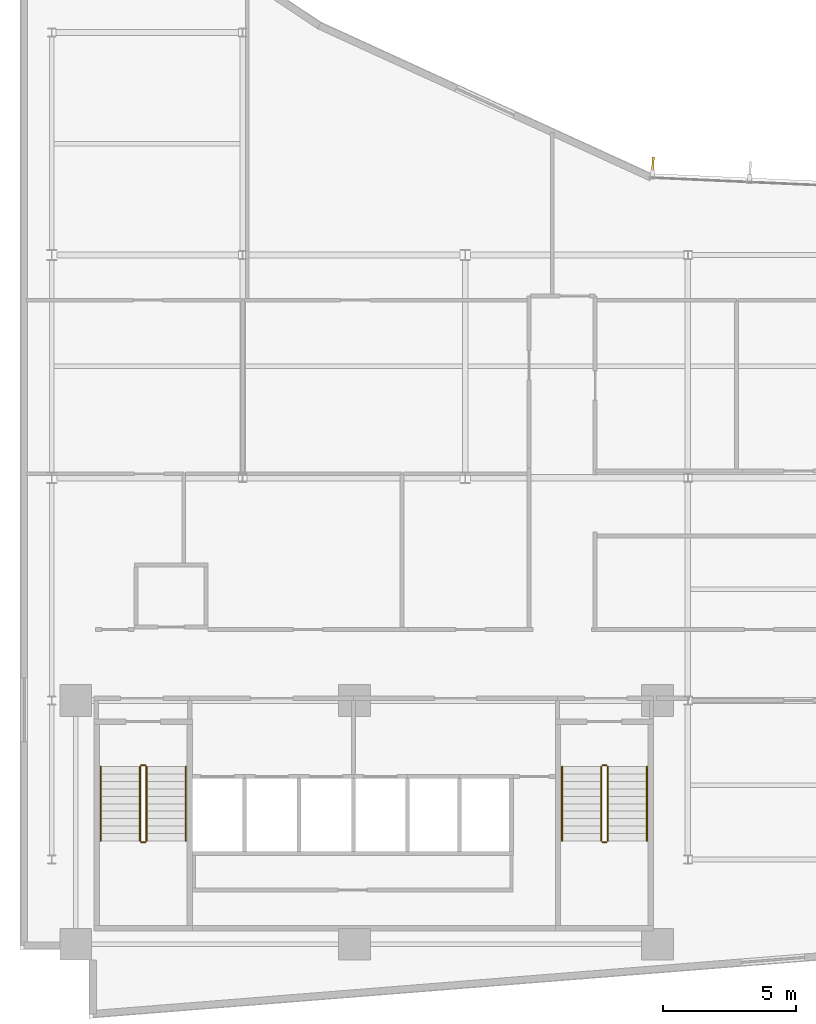
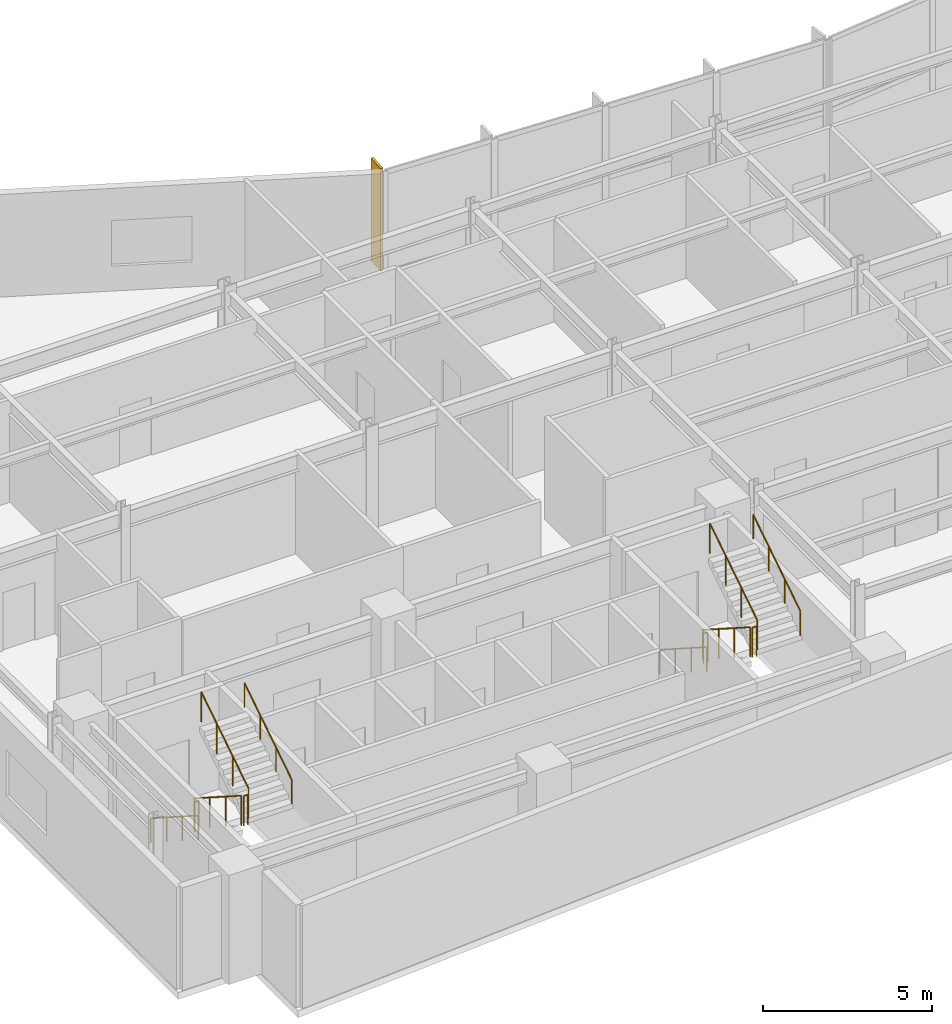
# One storey, part 13 of 17: 12 railings, 1 shading device.
"""IFC4 building model written with IfcOpenShell, lengths in metres."""

from ifc_helpers import new_model, si_unit, direction, frame, origin, origin_2d, place, context, subcontext, project, spatial, rectangle, circle, extrude, material, layer, layer_set, type_object, element, save


model = new_model("IFC4")

# Units and contexts
model_context = context("Model", 3, precision=1e-05, world=origin(), true_north=direction((0.0, 1.0)))
body_context = subcontext(model_context, "Body", "Model", "MODEL_VIEW")
ifc_project = project(units=[si_unit("LENGTHUNIT", "METRE"), si_unit("AREAUNIT", "SQUARE_METRE"), si_unit("VOLUMEUNIT", "CUBIC_METRE"), si_unit("PLANEANGLEUNIT", "RADIAN"), si_unit("MASSUNIT", "GRAM", prefix="KILO")], contexts=[model_context])

# Site, building, storey
site_placement = place(None, origin())
site = spatial("IfcSite", under=ifc_project, at=site_placement, CompositionType="ELEMENT")
building_placement = place(site_placement, origin())
building = spatial("IfcBuilding", under=site, at=building_placement, Name="Varnakote Quay Hospital", CompositionType="ELEMENT")
storey_placement = place(building_placement, frame((0.0, 0.0, 131.0)))
storey = spatial("IfcBuildingStorey", under=building, at=storey_placement, Name="L32", CompositionType="ELEMENT", Elevation=131.0)

# Railings
ifc_material_1 = material(Name="Brushed stainless steel balustrade", Category="steel")
railing_type_1 = type_object("IfcRailingType", Name="RLG-STAIR-GUARD-1150", PredefinedType="GUARDRAIL", material=ifc_material_1)
railing_1_placement = place(storey_placement, frame((4.530029296875, 9.5, 0.179443359375)))
element("IfcRailing", 1, at=railing_1_placement, inside=storey, type_object=railing_type_1, Name="L32 ST-01 stair guard 1", PredefinedType="GUARDRAIL", context=body_context, shape_type="SweptSolid", body=[
    extrude(circle(Radius=0.02392578125, at=origin_2d()), frame((0.0, 0.0, 1.076171875), z_axis=(0.0, -0.841776520102, 0.539826166654), x_axis=(1.0, 0.0, 0.0)), (0.0, 0.0, 1.0), 3.326416015625),
    extrude(circle(Radius=0.02099609375, at=origin_2d()), origin(), (0.0, 0.0, 1.0), 1.052001953125),
    extrude(circle(Radius=0.02099609375, at=origin_2d()), frame((0.0, -0.933349609375, 0.5986328125)), (0.0, 0.0, 1.0), 1.052001953125),
    extrude(circle(Radius=0.02099609375, at=origin_2d()), frame((0.0, -1.86669921875, 1.197021484375)), (0.0, 0.0, 1.0), 1.052001953125),
    extrude(circle(Radius=0.02099609375, at=origin_2d()), frame((0.0, -2.800048828125, 1.795654296875)), (0.0, 0.0, 1.0), 1.052001953125),
])
railing_2_placement = place(storey_placement, frame((4.580078125, 6.64990234375, 1.97509765625)))
element("IfcRailing", 2, at=railing_2_placement, inside=storey, type_object=railing_type_1, Name="L32 ST-01 stair guard 2", PredefinedType="GUARDRAIL", context=body_context, shape_type="SweptSolid", body=[
    extrude(circle(Radius=0.02392578125, at=origin_2d()), frame((0.0, 0.0, 1.076171875), z_axis=(1.0, 0.0, 0.0), x_axis=(0.0, 1.0, 0.0)), (0.0, 0.0, 1.0), 0.139892578125),
    extrude(circle(Radius=0.02099609375, at=origin_2d()), origin(), (0.0, 0.0, 1.0), 1.052001953125),
    extrude(circle(Radius=0.02099609375, at=origin_2d()), frame((0.139892578125, 0.0, 0.0)), (0.0, 0.0, 1.0), 1.052001953125),
])
railing_3_placement = place(storey_placement, frame((4.77001953125, 6.699951171875, 2.154541015625)))
element("IfcRailing", 3, at=railing_3_placement, inside=storey, type_object=railing_type_1, Name="L32 ST-01 stair guard 3", PredefinedType="GUARDRAIL", context=body_context, shape_type="SweptSolid", body=[
    extrude(circle(Radius=0.02392578125, at=origin_2d()), frame((0.0, 0.0, 1.076171875), z_axis=(0.0, 0.841809871826, 0.539774156196), x_axis=(-1.0, 0.0, 0.0)), (0.0, 0.0, 1.0), 3.326171875),
    extrude(circle(Radius=0.02099609375, at=origin_2d()), origin(), (0.0, 0.0, 1.0), 1.052001953125),
    extrude(circle(Radius=0.02099609375, at=origin_2d()), frame((0.0, 0.933349609375, 0.598388671875)), (0.0, 0.0, 1.0), 1.052001953125),
    extrude(circle(Radius=0.02099609375, at=origin_2d()), frame((0.0, 1.86669921875, 1.197021484375)), (0.0, 0.0, 1.0), 1.052001953125),
    extrude(circle(Radius=0.02099609375, at=origin_2d()), frame((0.0, 2.800048828125, 1.79541015625)), (0.0, 0.0, 1.0), 1.052001953125),
])
railing_4_placement = place(storey_placement, frame((4.580078125, 9.550048828125, 0.0)))
element("IfcRailing", 4, at=railing_4_placement, inside=storey, type_object=railing_type_1, Name="L32 ST-01 stair guard 4", PredefinedType="GUARDRAIL", context=body_context, shape_type="SweptSolid", body=[
    extrude(circle(Radius=0.02392578125, at=origin_2d()), frame((0.0, 0.0, 1.076171875), z_axis=(1.0, 0.0, 0.0), x_axis=(0.0, 1.0, 0.0)), (0.0, 0.0, 1.0), 0.139892578125),
    extrude(circle(Radius=0.02099609375, at=origin_2d()), origin(), (0.0, 0.0, 1.0), 1.052001953125),
    extrude(circle(Radius=0.02099609375, at=origin_2d()), frame((0.139892578125, 0.0, 0.0)), (0.0, 0.0, 1.0), 1.052001953125),
])
railing_5_placement = place(storey_placement, frame((21.929931640625, 9.5, 0.179443359375)))
element("IfcRailing", 5, at=railing_5_placement, inside=storey, type_object=railing_type_1, Name="L32 ST-02 stair guard 1", PredefinedType="GUARDRAIL", context=body_context, shape_type="SweptSolid", body=[
    extrude(circle(Radius=0.02392578125, at=origin_2d()), frame((0.0, 0.0, 1.076171875), z_axis=(0.0, -0.841776520102, 0.539826166654), x_axis=(1.0, 0.0, 0.0)), (0.0, 0.0, 1.0), 3.326416015625),
    extrude(circle(Radius=0.02099609375, at=origin_2d()), origin(), (0.0, 0.0, 1.0), 1.052001953125),
    extrude(circle(Radius=0.02099609375, at=origin_2d()), frame((0.0, -0.933349609375, 0.5986328125)), (0.0, 0.0, 1.0), 1.052001953125),
    extrude(circle(Radius=0.02099609375, at=origin_2d()), frame((0.0, -1.86669921875, 1.197021484375)), (0.0, 0.0, 1.0), 1.052001953125),
    extrude(circle(Radius=0.02099609375, at=origin_2d()), frame((0.0, -2.800048828125, 1.795654296875)), (0.0, 0.0, 1.0), 1.052001953125),
])
railing_6_placement = place(storey_placement, frame((21.97998046875, 6.64990234375, 1.97509765625)))
element("IfcRailing", 6, at=railing_6_placement, inside=storey, type_object=railing_type_1, Name="L32 ST-02 stair guard 2", PredefinedType="GUARDRAIL", context=body_context, shape_type="SweptSolid", body=[
    extrude(circle(Radius=0.02392578125, at=origin_2d()), frame((0.0, 0.0, 1.076171875), z_axis=(1.0, 0.0, 0.0), x_axis=(0.0, 1.0, 0.0)), (0.0, 0.0, 1.0), 0.14013671875),
    extrude(circle(Radius=0.02099609375, at=origin_2d()), origin(), (0.0, 0.0, 1.0), 1.052001953125),
    extrude(circle(Radius=0.02099609375, at=origin_2d()), frame((0.14013671875, 0.0, 0.0)), (0.0, 0.0, 1.0), 1.052001953125),
])
railing_7_placement = place(storey_placement, frame((22.169921875, 6.699951171875, 2.154541015625)))
element("IfcRailing", 7, at=railing_7_placement, inside=storey, type_object=railing_type_1, Name="L32 ST-02 stair guard 3", PredefinedType="GUARDRAIL", context=body_context, shape_type="SweptSolid", body=[
    extrude(circle(Radius=0.02392578125, at=origin_2d()), frame((0.0, 0.0, 1.076171875), z_axis=(0.0, 0.841809871826, 0.539774156196), x_axis=(-1.0, 0.0, 0.0)), (0.0, 0.0, 1.0), 3.326171875),
    extrude(circle(Radius=0.02099609375, at=origin_2d()), origin(), (0.0, 0.0, 1.0), 1.052001953125),
    extrude(circle(Radius=0.02099609375, at=origin_2d()), frame((0.0, 0.933349609375, 0.598388671875)), (0.0, 0.0, 1.0), 1.052001953125),
    extrude(circle(Radius=0.02099609375, at=origin_2d()), frame((0.0, 1.86669921875, 1.197021484375)), (0.0, 0.0, 1.0), 1.052001953125),
    extrude(circle(Radius=0.02099609375, at=origin_2d()), frame((0.0, 2.800048828125, 1.79541015625)), (0.0, 0.0, 1.0), 1.052001953125),
])
railing_8_placement = place(storey_placement, frame((21.97998046875, 9.550048828125, 0.0)))
element("IfcRailing", 8, at=railing_8_placement, inside=storey, type_object=railing_type_1, Name="L32 ST-02 stair guard 4", PredefinedType="GUARDRAIL", context=body_context, shape_type="SweptSolid", body=[
    extrude(circle(Radius=0.02392578125, at=origin_2d()), frame((0.0, 0.0, 1.076171875), z_axis=(1.0, 0.0, 0.0), x_axis=(0.0, 1.0, 0.0)), (0.0, 0.0, 1.0), 0.14013671875),
    extrude(circle(Radius=0.02099609375, at=origin_2d()), origin(), (0.0, 0.0, 1.0), 1.052001953125),
    extrude(circle(Radius=0.02099609375, at=origin_2d()), frame((0.14013671875, 0.0, 0.0)), (0.0, 0.0, 1.0), 1.052001953125),
])
ifc_material_2 = material(Name="Brushed stainless steel handrail", Category="steel")
railing_type_2 = type_object("IfcRailingType", Name="RLG-STAIR-HND-920", PredefinedType="HANDRAIL", material=ifc_material_2)
railing_9_placement = place(storey_placement, frame((3.050048828125, 9.5, 0.179443359375)))
element("IfcRailing", 9, at=railing_9_placement, inside=storey, type_object=railing_type_2, Name="L32 ST-01 stair handrail 1", PredefinedType="HANDRAIL", context=body_context, shape_type="SweptSolid", body=[
    extrude(circle(Radius=0.02392578125, at=origin_2d()), frame((0.0, 0.0, 0.8759765625), z_axis=(0.0, -0.841776520102, 0.539826166654), x_axis=(1.0, 0.0, 0.0)), (0.0, 0.0, 1.0), 3.326416015625),
    extrude(circle(Radius=0.02099609375, at=origin_2d()), origin(), (0.0, 0.0, 1.0), 0.851806640625),
    extrude(circle(Radius=0.02099609375, at=origin_2d()), frame((0.0, -0.933349609375, 0.5986328125)), (0.0, 0.0, 1.0), 0.851806640625),
    extrude(circle(Radius=0.02099609375, at=origin_2d()), frame((0.0, -1.86669921875, 1.197021484375)), (0.0, 0.0, 1.0), 0.851806640625),
    extrude(circle(Radius=0.02099609375, at=origin_2d()), frame((0.0, -2.800048828125, 1.795654296875)), (0.0, 0.0, 1.0), 0.851806640625),
])
railing_10_placement = place(storey_placement, frame((6.25, 6.699951171875, 2.154541015625)))
element("IfcRailing", 10, at=railing_10_placement, inside=storey, type_object=railing_type_2, Name="L32 ST-01 stair handrail 2", PredefinedType="HANDRAIL", context=body_context, shape_type="SweptSolid", body=[
    extrude(circle(Radius=0.02392578125, at=origin_2d()), frame((0.0, 0.0, 0.8759765625), z_axis=(0.0, 0.841809871826, 0.539774156196), x_axis=(-1.0, 0.0, 0.0)), (0.0, 0.0, 1.0), 3.326171875),
    extrude(circle(Radius=0.02099609375, at=origin_2d()), origin(), (0.0, 0.0, 1.0), 0.851806640625),
    extrude(circle(Radius=0.02099609375, at=origin_2d()), frame((0.0, 0.933349609375, 0.598388671875)), (0.0, 0.0, 1.0), 0.851806640625),
    extrude(circle(Radius=0.02099609375, at=origin_2d()), frame((0.0, 1.86669921875, 1.197021484375)), (0.0, 0.0, 1.0), 0.851806640625),
    extrude(circle(Radius=0.02099609375, at=origin_2d()), frame((0.0, 2.800048828125, 1.79541015625)), (0.0, 0.0, 1.0), 0.851806640625),
])
railing_11_placement = place(storey_placement, frame((20.449951171875, 9.5, 0.179443359375)))
element("IfcRailing", 11, at=railing_11_placement, inside=storey, type_object=railing_type_2, Name="L32 ST-02 stair handrail 1", PredefinedType="HANDRAIL", context=body_context, shape_type="SweptSolid", body=[
    extrude(circle(Radius=0.02392578125, at=origin_2d()), frame((0.0, 0.0, 0.8759765625), z_axis=(0.0, -0.841776520102, 0.539826166654), x_axis=(1.0, 0.0, 0.0)), (0.0, 0.0, 1.0), 3.326416015625),
    extrude(circle(Radius=0.02099609375, at=origin_2d()), origin(), (0.0, 0.0, 1.0), 0.851806640625),
    extrude(circle(Radius=0.02099609375, at=origin_2d()), frame((0.0, -0.933349609375, 0.5986328125)), (0.0, 0.0, 1.0), 0.851806640625),
    extrude(circle(Radius=0.02099609375, at=origin_2d()), frame((0.0, -1.86669921875, 1.197021484375)), (0.0, 0.0, 1.0), 0.851806640625),
    extrude(circle(Radius=0.02099609375, at=origin_2d()), frame((0.0, -2.800048828125, 1.795654296875)), (0.0, 0.0, 1.0), 0.851806640625),
])
railing_12_placement = place(storey_placement, frame((23.64990234375, 6.699951171875, 2.154541015625)))
element("IfcRailing", 12, at=railing_12_placement, inside=storey, type_object=railing_type_2, Name="L32 ST-02 stair handrail 2", PredefinedType="HANDRAIL", context=body_context, shape_type="SweptSolid", body=[
    extrude(circle(Radius=0.02392578125, at=origin_2d()), frame((0.0, 0.0, 0.8759765625), z_axis=(0.0, 0.841809871826, 0.539774156196), x_axis=(-1.0, 0.0, 0.0)), (0.0, 0.0, 1.0), 3.326171875),
    extrude(circle(Radius=0.02099609375, at=origin_2d()), origin(), (0.0, 0.0, 1.0), 0.851806640625),
    extrude(circle(Radius=0.02099609375, at=origin_2d()), frame((0.0, 0.933349609375, 0.598388671875)), (0.0, 0.0, 1.0), 0.851806640625),
    extrude(circle(Radius=0.02099609375, at=origin_2d()), frame((0.0, 1.86669921875, 1.197021484375)), (0.0, 0.0, 1.0), 0.851806640625),
    extrude(circle(Radius=0.02099609375, at=origin_2d()), frame((0.0, 2.800048828125, 1.79541015625)), (0.0, 0.0, 1.0), 0.851806640625),
])

# Shading device
ifc_material_3 = material(Name="Anodised aluminium 6063-T6 Bronze", Category="aluminium")
ifc_layer = layer(ifc_material_3, 0.0849609375)
ifc_layer_set = layer_set([ifc_layer], Name="Anodised aluminium 6063-T6 Bronze")
shading_device_type = type_object("IfcShadingDeviceType", Name="SHD-BRONZE-FIN-620", PredefinedType="USERDEFINED", material=ifc_layer_set)
shading_device_placement = place(storey_placement, frame((23.876220703125, 32.183349609375, 0.0), z_axis=(0.0, 0.0, 1.0), x_axis=(-0.044839922168, -0.998994184858, 0.0)))
element("IfcShadingDevice", 13, at=shading_device_placement, inside=storey, type_object=shading_device_type, Name="L32 Anodised Bronze Vertical Shading FIN", ObjectType="FIN", PredefinedType="USERDEFINED", context=body_context, shape_type="SweptSolid", body=[
    extrude(rectangle(XDim=0.6201171875, YDim=0.0849609375, at=origin_2d()), origin(), (0.0, 0.0, 1.0), 3.7099609375),
])

save(model, "model.ifc")
